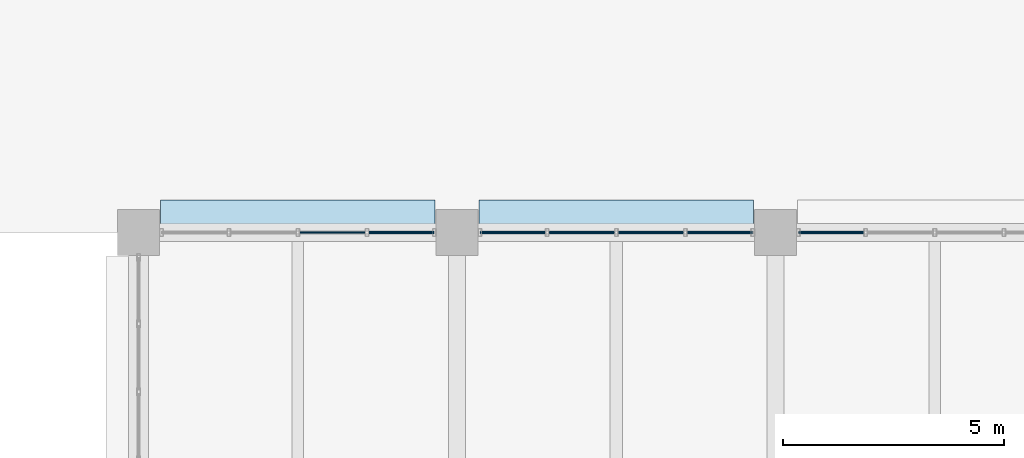
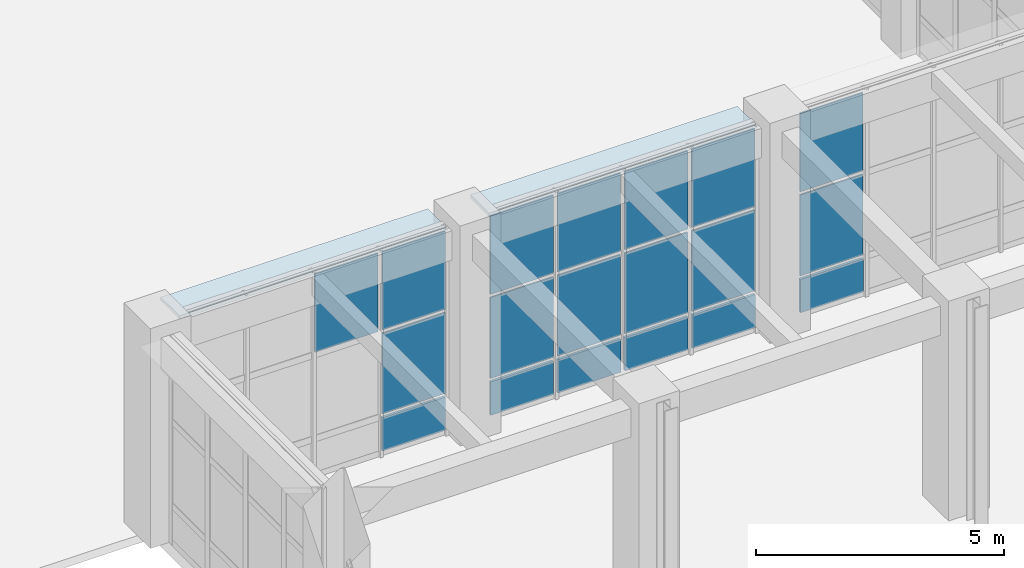
# One storey, part 120 of 160: 21 plates, 3 elements without a shape of their own.
"""IFC4 building model written with IfcOpenShell, lengths in metres."""

from ifc_helpers import new_model, si_unit, direction, frame, origin, origin_2d, place, context, subcontext, project, spatial, rectangle, extrude, material, layer, layer_set, type_object, element, aggregate, save


model = new_model("IFC4")

# Units and contexts
model_context = context("Model", 3, precision=1e-05, world=origin(), true_north=direction((0.0, 1.0)))
body_context = subcontext(model_context, "Body", "Model", "MODEL_VIEW")
ifc_project = project(units=[si_unit("LENGTHUNIT", "METRE"), si_unit("AREAUNIT", "SQUARE_METRE"), si_unit("VOLUMEUNIT", "CUBIC_METRE"), si_unit("PLANEANGLEUNIT", "RADIAN"), si_unit("MASSUNIT", "GRAM", prefix="KILO")], contexts=[model_context])

# Site, building, storey
site_placement = place(None, origin())
site = spatial("IfcSite", under=ifc_project, at=site_placement, CompositionType="ELEMENT")
building_placement = place(site_placement, origin())
building = spatial("IfcBuilding", under=site, at=building_placement, Name="Thalmaran Polytechnic", CompositionType="ELEMENT")
storey_placement = place(building_placement, origin())
storey = spatial("IfcBuildingStorey", under=building, at=storey_placement, Name="L00", CompositionType="ELEMENT", Elevation=0.0)

# Plates
ifc_material_1 = material(Name="Anodised aluminium sun-hood eyebrow", Category="aluminium")
ifc_layer_1 = layer(ifc_material_1, 0.0849609375, Name="Anodised aluminium sun-hood eyebrow")
ifc_layer_set_1 = layer_set([ifc_layer_1], Name="Anodised aluminium sun-hood eyebrow")
plate_type_1 = type_object("IfcPlateType", Name="PT-EB01", PredefinedType="SHEET", material=ifc_layer_set_1)
for number, where, z_axis, x_axis, name in (
    (1, (111.60009765625, 57.9599609375, 4.987548828125), (0.0, 0.0, 1.0), (1.0, 0.0, 0.0), "Streamline Sun-Hood Eyebrow L00-CW064"),
    (2, (118.800048828125, 57.9599609375, 4.987548828125), (0.0, 0.0, 1.0), (1.0, 0.0, 0.0), "Streamline Sun-Hood Eyebrow L00-CW065"),
):
    element("IfcPlate", number, at=place(storey_placement, frame(where, z_axis=z_axis, x_axis=x_axis)), inside=storey, type_object=plate_type_1, Name=name, PredefinedType="SHEET", context=body_context, shape_type="SweptSolid", body=[
        extrude(rectangle(XDim=6.2099609375, YDim=0.760009765625, at=origin_2d()), origin(), (0.0, 0.0, 1.0), 0.0849609375),
    ])

# Curtain wall, plates
ifc_material_2 = material(Name="Aluminium 6063-T6", Category="aluminium")
curtain_wall_type = type_object("IfcCurtainWallType", Name="CW-UC01", PredefinedType="USERDEFINED", material=ifc_material_2)
curtain_wall_1_placement = place(storey_placement, origin())
curtain_wall_1 = element("IfcCurtainWall", 3, at=curtain_wall_1_placement, inside=storey, type_object=curtain_wall_type, Name="Curtain Wall CW-L00-065", ObjectType="UNITISED CURTAIN WALL", PredefinedType="USERDEFINED")
ifc_material_3 = material(Name="Solar-control double low-E glass", Category="glass")
ifc_layer_2 = layer(ifc_material_3, 0.035888671875, Name="Solar-control double low-E glass")
ifc_layer_set_2 = layer_set([ifc_layer_2], Name="Solar-control double low-E glass")
plate_type_2 = type_object("IfcPlateType", Name="PT-GL01", PredefinedType="CURTAIN_PANEL", material=ifc_layer_set_2)
plate_1_placement = place(storey_placement, frame((116.456298828125, 57.60009765625, 1.0), z_axis=(0.0, 0.0, 1.0), x_axis=(1.0, 0.0, 0.0)))
plate_1 = element("IfcPlate", 4, at=plate_1_placement, type_object=plate_type_2, Name="CW-L00-065 Vision Panel 1-2", PredefinedType="CURTAIN_PANEL", context=body_context, shape_type="SweptSolid", body=[
    extrude(rectangle(XDim=1.46240234375, YDim=0.035888671875, at=origin_2d()), origin(), (0.0, 0.0, 1.0), 1.985107421875),
])
plate_2_placement = place(storey_placement, frame((116.456298828125, 57.60009765625, 3.06494140625), z_axis=(0.0, 0.0, 1.0), x_axis=(1.0, 0.0, 0.0)))
plate_2 = element("IfcPlate", 5, at=plate_2_placement, type_object=plate_type_2, Name="CW-L00-065 Vision Panel 1-3", PredefinedType="CURTAIN_PANEL", context=body_context, shape_type="SweptSolid", body=[
    extrude(rectangle(XDim=1.46240234375, YDim=0.035888671875, at=origin_2d()), origin(), (0.0, 0.0, 1.0), 1.925048828125),
])
plate_3_placement = place(storey_placement, frame((118.018798828125, 57.60009765625, 1.0), z_axis=(0.0, 0.0, 1.0), x_axis=(1.0, 0.0, 0.0)))
plate_3 = element("IfcPlate", 6, at=plate_3_placement, type_object=plate_type_2, Name="CW-L00-065 Vision Panel 2-2", PredefinedType="CURTAIN_PANEL", context=body_context, shape_type="SweptSolid", body=[
    extrude(rectangle(XDim=1.46240234375, YDim=0.035888671875, at=origin_2d()), origin(), (0.0, 0.0, 1.0), 1.985107421875),
])
plate_4_placement = place(storey_placement, frame((118.018798828125, 57.60009765625, 3.06494140625), z_axis=(0.0, 0.0, 1.0), x_axis=(1.0, 0.0, 0.0)))
plate_4 = element("IfcPlate", 7, at=plate_4_placement, type_object=plate_type_2, Name="CW-L00-065 Vision Panel 2-3", PredefinedType="CURTAIN_PANEL", context=body_context, shape_type="SweptSolid", body=[
    extrude(rectangle(XDim=1.46240234375, YDim=0.035888671875, at=origin_2d()), origin(), (0.0, 0.0, 1.0), 1.925048828125),
])
plate_5_placement = place(storey_placement, frame((119.581298828125, 57.60009765625, 1.0), z_axis=(0.0, 0.0, 1.0), x_axis=(1.0, 0.0, 0.0)))
plate_5 = element("IfcPlate", 8, at=plate_5_placement, type_object=plate_type_2, Name="CW-L00-065 Vision Panel 3-2", PredefinedType="CURTAIN_PANEL", context=body_context, shape_type="SweptSolid", body=[
    extrude(rectangle(XDim=1.46240234375, YDim=0.035888671875, at=origin_2d()), origin(), (0.0, 0.0, 1.0), 1.985107421875),
])
plate_6_placement = place(storey_placement, frame((119.581298828125, 57.60009765625, 3.06494140625), z_axis=(0.0, 0.0, 1.0), x_axis=(1.0, 0.0, 0.0)))
plate_6 = element("IfcPlate", 9, at=plate_6_placement, type_object=plate_type_2, Name="CW-L00-065 Vision Panel 3-3", PredefinedType="CURTAIN_PANEL", context=body_context, shape_type="SweptSolid", body=[
    extrude(rectangle(XDim=1.46240234375, YDim=0.035888671875, at=origin_2d()), origin(), (0.0, 0.0, 1.0), 1.925048828125),
])
plate_7_placement = place(storey_placement, frame((121.143798828125, 57.60009765625, 1.0), z_axis=(0.0, 0.0, 1.0), x_axis=(1.0, 0.0, 0.0)))
plate_7 = element("IfcPlate", 10, at=plate_7_placement, type_object=plate_type_2, Name="CW-L00-065 Vision Panel 4-2", PredefinedType="CURTAIN_PANEL", context=body_context, shape_type="SweptSolid", body=[
    extrude(rectangle(XDim=1.46240234375, YDim=0.035888671875, at=origin_2d()), origin(), (0.0, 0.0, 1.0), 1.985107421875),
])
plate_8_placement = place(storey_placement, frame((121.143798828125, 57.60009765625, 3.06494140625), z_axis=(0.0, 0.0, 1.0), x_axis=(1.0, 0.0, 0.0)))
plate_8 = element("IfcPlate", 11, at=plate_8_placement, type_object=plate_type_2, Name="CW-L00-065 Vision Panel 4-3", PredefinedType="CURTAIN_PANEL", context=body_context, shape_type="SweptSolid", body=[
    extrude(rectangle(XDim=1.46240234375, YDim=0.035888671875, at=origin_2d()), origin(), (0.0, 0.0, 1.0), 1.925048828125),
])

curtain_wall_2_placement = place(storey_placement, origin())
curtain_wall_2 = element("IfcCurtainWall", 12, at=curtain_wall_2_placement, inside=storey, type_object=curtain_wall_type, Name="Curtain Wall CW-L00-066", ObjectType="UNITISED CURTAIN WALL", PredefinedType="USERDEFINED")
ifc_layer_3 = layer(ifc_material_3, 0.035888671875, Name="Solar-control double low-E glass")
ifc_layer_set_3 = layer_set([ifc_layer_3], Name="Solar-control double low-E glass")
plate_type_3 = type_object("IfcPlateType", Name="PT-GL02", PredefinedType="CURTAIN_PANEL", material=ifc_layer_set_3)
plate_9_placement = place(storey_placement, frame((123.65625, 57.60009765625, 1.0), z_axis=(0.0, 0.0, 1.0), x_axis=(1.0, 0.0, 0.0)))
plate_9 = element("IfcPlate", 13, at=plate_9_placement, type_object=plate_type_3, Name="CW-L00-066 Vision Panel 1-2", PredefinedType="CURTAIN_PANEL", context=body_context, shape_type="SweptSolid", body=[
    extrude(rectangle(XDim=1.46240234375, YDim=0.035888671875, at=origin_2d()), origin(), (0.0, 0.0, 1.0), 1.985107421875),
])
plate_10_placement = place(storey_placement, frame((123.65625, 57.60009765625, 3.06494140625), z_axis=(0.0, 0.0, 1.0), x_axis=(1.0, 0.0, 0.0)))
plate_10 = element("IfcPlate", 14, at=plate_10_placement, type_object=plate_type_3, Name="CW-L00-066 Vision Panel 1-3", PredefinedType="CURTAIN_PANEL", context=body_context, shape_type="SweptSolid", body=[
    extrude(rectangle(XDim=1.46240234375, YDim=0.035888671875, at=origin_2d()), origin(), (0.0, 0.0, 1.0), 1.925048828125),
])

curtain_wall_3_placement = place(storey_placement, origin())
curtain_wall_3 = element("IfcCurtainWall", 15, at=curtain_wall_3_placement, inside=storey, type_object=curtain_wall_type, Name="Curtain Wall CW-L00-064", ObjectType="UNITISED CURTAIN WALL", PredefinedType="USERDEFINED")
ifc_layer_4 = layer(ifc_material_3, 0.035888671875, Name="Solar-control double low-E glass")
ifc_layer_set_4 = layer_set([ifc_layer_4], Name="Solar-control double low-E glass")
plate_type_4 = type_object("IfcPlateType", Name="PT-GL05", PredefinedType="CURTAIN_PANEL", material=ifc_layer_set_4)
plate_11_placement = place(storey_placement, frame((112.38134765625, 57.60009765625, 3.06494140625), z_axis=(0.0, 0.0, 1.0), x_axis=(1.0, 0.0, 0.0)))
plate_11 = element("IfcPlate", 16, at=plate_11_placement, type_object=plate_type_4, Name="CW-L00-064 Vision Panel 3-3", PredefinedType="CURTAIN_PANEL", context=body_context, shape_type="SweptSolid", body=[
    extrude(rectangle(XDim=1.46240234375, YDim=0.035888671875, at=origin_2d()), origin(), (0.0, 0.0, 1.0), 1.925048828125),
])
plate_12_placement = place(storey_placement, frame((113.94384765625, 57.60009765625, 1.0), z_axis=(0.0, 0.0, 1.0), x_axis=(1.0, 0.0, 0.0)))
plate_12 = element("IfcPlate", 17, at=plate_12_placement, type_object=plate_type_4, Name="CW-L00-064 Vision Panel 4-2", PredefinedType="CURTAIN_PANEL", context=body_context, shape_type="SweptSolid", body=[
    extrude(rectangle(XDim=1.46240234375, YDim=0.035888671875, at=origin_2d()), origin(), (0.0, 0.0, 1.0), 1.985107421875),
])
plate_13_placement = place(storey_placement, frame((113.94384765625, 57.60009765625, 3.06494140625), z_axis=(0.0, 0.0, 1.0), x_axis=(1.0, 0.0, 0.0)))
plate_13 = element("IfcPlate", 18, at=plate_13_placement, type_object=plate_type_4, Name="CW-L00-064 Vision Panel 4-3", PredefinedType="CURTAIN_PANEL", context=body_context, shape_type="SweptSolid", body=[
    extrude(rectangle(XDim=1.46240234375, YDim=0.035888671875, at=origin_2d()), origin(), (0.0, 0.0, 1.0), 1.925048828125),
])

# Plate
ifc_material_4 = material(Name="Insulated anodised aluminium spandrel", Category="aluminium")
ifc_layer_5 = layer(ifc_material_4, 0.06005859375, Name="Insulated anodised aluminium spandrel")
ifc_layer_set_5 = layer_set([ifc_layer_5], Name="Insulated anodised aluminium spandrel")
plate_type_5 = type_object("IfcPlateType", Name="PT-SP01", PredefinedType="CURTAIN_PANEL", material=ifc_layer_set_5)
plate_14_placement = place(storey_placement, frame((123.65625, 57.60009765625, 0.10009765625), z_axis=(0.0, 0.0, 1.0), x_axis=(1.0, 0.0, 0.0)))
plate_14 = element("IfcPlate", 19, at=plate_14_placement, type_object=plate_type_5, Name="CW-L00-066 Spandrel Panel 1-1", PredefinedType="CURTAIN_PANEL", context=body_context, shape_type="SweptSolid", body=[
    extrude(rectangle(XDim=1.46240234375, YDim=0.06005859375, at=origin_2d()), origin(), (0.0, 0.0, 1.0), 0.820068359375),
])

aggregate(curtain_wall_2, [plate_14, plate_9, plate_10])

ifc_layer_6 = layer(ifc_material_4, 0.06005859375, Name="Insulated anodised aluminium spandrel")
ifc_layer_set_6 = layer_set([ifc_layer_6], Name="Insulated anodised aluminium spandrel")
plate_type_6 = type_object("IfcPlateType", Name="PT-SP02", PredefinedType="CURTAIN_PANEL", material=ifc_layer_set_6)
plate_15_placement = place(storey_placement, frame((113.94384765625, 57.60009765625, 0.10009765625), z_axis=(0.0, 0.0, 1.0), x_axis=(1.0, 0.0, 0.0)))
plate_15 = element("IfcPlate", 20, at=plate_15_placement, type_object=plate_type_6, Name="CW-L00-064 Spandrel Panel 4-1", PredefinedType="CURTAIN_PANEL", context=body_context, shape_type="SweptSolid", body=[
    extrude(rectangle(XDim=1.46240234375, YDim=0.06005859375, at=origin_2d()), origin(), (0.0, 0.0, 1.0), 0.820068359375),
])

aggregate(curtain_wall_3, [plate_11, plate_15, plate_12, plate_13])

ifc_layer_7 = layer(ifc_material_4, 0.06005859375, Name="Insulated anodised aluminium spandrel")
ifc_layer_set_7 = layer_set([ifc_layer_7], Name="Insulated anodised aluminium spandrel")
plate_type_7 = type_object("IfcPlateType", Name="PT-SP03", PredefinedType="CURTAIN_PANEL", material=ifc_layer_set_7)
plate_16_placement = place(storey_placement, frame((116.456298828125, 57.60009765625, 0.10009765625), z_axis=(0.0, 0.0, 1.0), x_axis=(1.0, 0.0, 0.0)))
plate_16 = element("IfcPlate", 21, at=plate_16_placement, type_object=plate_type_7, Name="CW-L00-065 Spandrel Panel 1-1", PredefinedType="CURTAIN_PANEL", context=body_context, shape_type="SweptSolid", body=[
    extrude(rectangle(XDim=1.46240234375, YDim=0.06005859375, at=origin_2d()), origin(), (0.0, 0.0, 1.0), 0.820068359375),
])

plate_17_placement = place(storey_placement, frame((118.018798828125, 57.60009765625, 0.10009765625), z_axis=(0.0, 0.0, 1.0), x_axis=(1.0, 0.0, 0.0)))
plate_17 = element("IfcPlate", 22, at=plate_17_placement, type_object=plate_type_7, Name="CW-L00-065 Spandrel Panel 2-1", PredefinedType="CURTAIN_PANEL", context=body_context, shape_type="SweptSolid", body=[
    extrude(rectangle(XDim=1.46240234375, YDim=0.06005859375, at=origin_2d()), origin(), (0.0, 0.0, 1.0), 0.820068359375),
])

plate_18_placement = place(storey_placement, frame((119.581298828125, 57.60009765625, 0.10009765625), z_axis=(0.0, 0.0, 1.0), x_axis=(1.0, 0.0, 0.0)))
plate_18 = element("IfcPlate", 23, at=plate_18_placement, type_object=plate_type_7, Name="CW-L00-065 Spandrel Panel 3-1", PredefinedType="CURTAIN_PANEL", context=body_context, shape_type="SweptSolid", body=[
    extrude(rectangle(XDim=1.46240234375, YDim=0.06005859375, at=origin_2d()), origin(), (0.0, 0.0, 1.0), 0.820068359375),
])

plate_19_placement = place(storey_placement, frame((121.143798828125, 57.60009765625, 0.10009765625), z_axis=(0.0, 0.0, 1.0), x_axis=(1.0, 0.0, 0.0)))
plate_19 = element("IfcPlate", 24, at=plate_19_placement, type_object=plate_type_7, Name="CW-L00-065 Spandrel Panel 4-1", PredefinedType="CURTAIN_PANEL", context=body_context, shape_type="SweptSolid", body=[
    extrude(rectangle(XDim=1.46240234375, YDim=0.06005859375, at=origin_2d()), origin(), (0.0, 0.0, 1.0), 0.820068359375),
])

aggregate(curtain_wall_1, [plate_16, plate_1, plate_2, plate_17, plate_3, plate_4, plate_18, plate_5, plate_6, plate_19, plate_7, plate_8])

save(model, "model.ifc")
